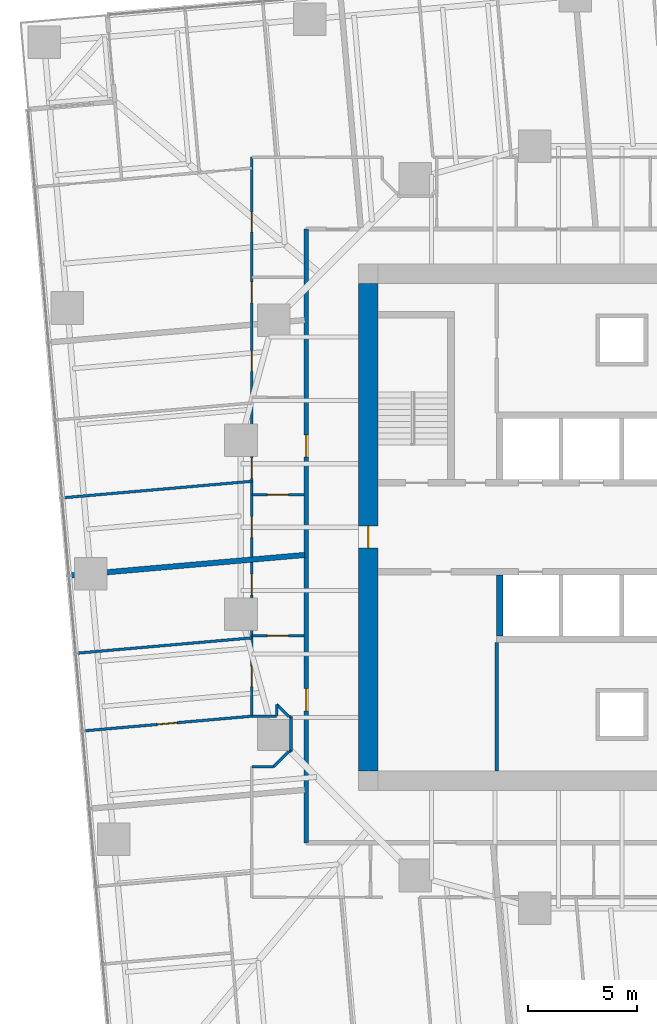
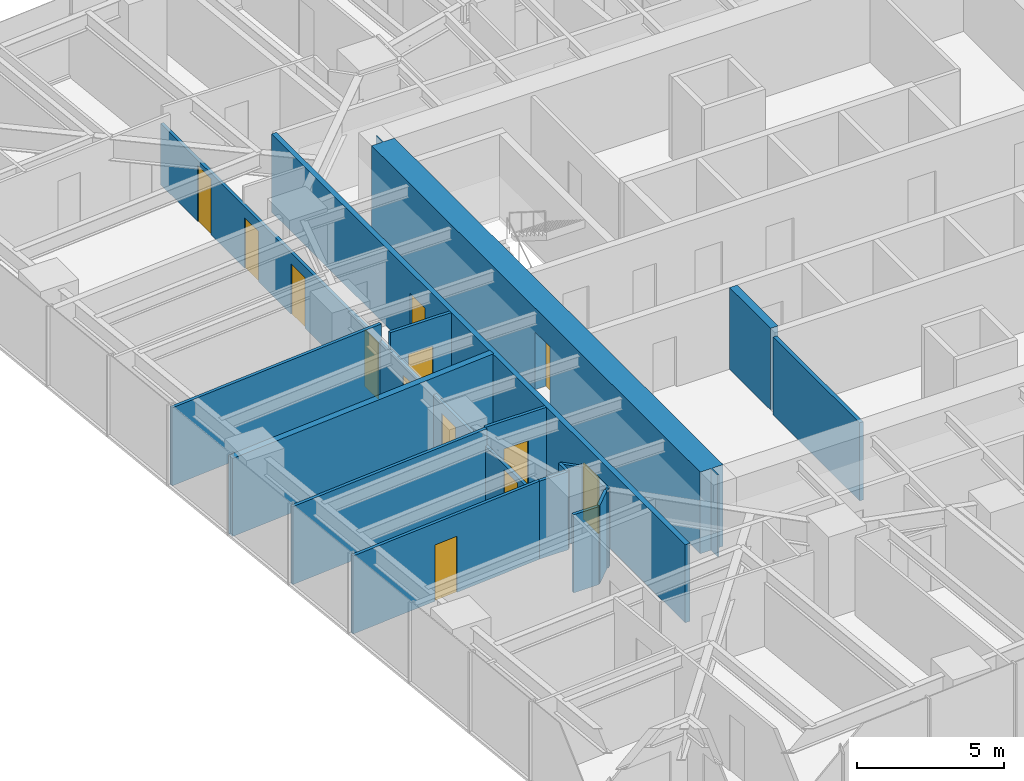
# One storey, part 9 of 14: 19 walls, 13 doors, 13 openings.
"""IFC4 building model written with IfcOpenShell, lengths in metres."""

from ifc_helpers import new_model, si_unit, direction, frame, frame_2d, origin, place, context, subcontext, project, spatial, polyline, rectangle, outline, extrude, material, layer, layer_set, type_object, element, fill, save


model = new_model("IFC4")

# Units and contexts
model_context = context("Model", 3, precision=1e-05, world=origin(), true_north=direction((0.0, 1.0)))
body_context = subcontext(model_context, "Body", "Model", "MODEL_VIEW")
ifc_project = project(units=[si_unit("LENGTHUNIT", "METRE"), si_unit("AREAUNIT", "SQUARE_METRE"), si_unit("VOLUMEUNIT", "CUBIC_METRE"), si_unit("PLANEANGLEUNIT", "RADIAN"), si_unit("MASSUNIT", "GRAM", prefix="KILO")], contexts=[model_context])

# Site, building, storey
site_placement = place(None, origin())
site = spatial("IfcSite", under=ifc_project, at=site_placement, CompositionType="ELEMENT")
building_placement = place(site_placement, origin())
building = spatial("IfcBuilding", under=site, at=building_placement, Name="Torsade Residences", CompositionType="ELEMENT")
storey_placement = place(building_placement, frame((0.0, 0.0, 50.60009765625)))
storey = spatial("IfcBuildingStorey", under=building, at=storey_placement, Name="L13", CompositionType="ELEMENT", Elevation=50.60009765625)

# Wall
ifc_material_1 = material(Name="Concrete 80 MPa", Category="concrete")
ifc_layer_1 = layer(ifc_material_1, 0.300048828125)
ifc_layer_set_1 = layer_set([ifc_layer_1], Name="Concrete 80 MPa")
wall_type_1 = type_object("IfcWallType", Name="CORE INTERNAL WALL 300", PredefinedType="SHEAR", material=ifc_layer_set_1)
wall_1_placement = place(storey_placement, frame((34.39990234375, 27.800048828125, 0.0), z_axis=(0.0, 0.0, 1.0), x_axis=(0.0, -1.0, 0.0)))
element("IfcWall", 1, at=wall_1_placement, inside=storey, type_object=wall_type_1, Name="Core wall DS4 L13", PredefinedType="SHEAR", context=body_context, shape_type="SweptSolid", body=[
    extrude(rectangle(XDim=2.800048828125, YDim=0.300048828125, at=frame_2d((1.39990234375, 0.0))), origin(), (0.0, 0.0, 1.0), 3.39990234375),
])

# Wall, opening, door
ifc_material_2 = material(Name="Concrete 80 MPa", Category="concrete")
ifc_layer_2 = layer(ifc_material_2, 0.89990234375)
ifc_layer_set_2 = layer_set([ifc_layer_2], Name="Concrete 80 MPa")
wall_type_2 = type_object("IfcWallType", Name="CORE WALL 900", PredefinedType="SHEAR", material=ifc_layer_set_2)
wall_2_placement = place(storey_placement, frame((28.35009765625, 41.199951171875, 0.0), z_axis=(0.0, 0.0, 1.0), x_axis=(0.0, -1.0, 0.0)))
wall_2 = element("IfcWall", 2, at=wall_2_placement, inside=storey, type_object=wall_type_2, Name="Core wall W L13", PredefinedType="SHEAR", context=body_context, shape_type="SweptSolid", body=[
    extrude(outline(polyline([(0.0, -0.449951171875), (22.39990234375, -0.449951171875), (22.39990234375, -0.02490234375), (22.849853515625, -0.02490234375), (22.849853515625, 0.02490234375), (22.39990234375, 0.02490234375), (22.39990234375, 0.449951171875), (0.0, 0.449951171875), (0.0, 0.02490234375), (-0.449951171875, 0.02490234375), (-0.449951171875, -0.02490234375), (0.0, -0.02490234375), (0.0, -0.449951171875)])), origin(), (0.0, 0.0, 1.0), 3.39990234375),
])
opening_1_placement = place(wall_2_placement, frame((11.139892578125, 0.0, 0.0)))
opening_1 = element("IfcOpeningElement", 3, at=opening_1_placement, cuts=wall_2, Name="Opening D04", PredefinedType="OPENING", context=body_context, shape_type="SweptSolid", body=[
    extrude(rectangle(XDim=1.02001953125, YDim=2.39990234375, at=frame_2d((0.510009765625, 1.199951171875))), frame((0.0, 0.4599609375, 0.0), z_axis=(0.0, -1.0, 0.0), x_axis=(1.0, 0.0, 0.0)), (0.0, 0.0, 1.0), 0.919921875),
])
ifc_material_3 = material(Name="Steel-framed fire door", Category="steel")
door_type_1 = type_object("IfcDoorType", Name="LOBBY SMOKE DOOR 1020x2400", OperationType="NOTDEFINED", PredefinedType="DOOR", material=ifc_material_3)
door_1_placement = place(opening_1_placement, origin())
door_1 = element("IfcDoor", 4, at=door_1_placement, inside=storey, type_object=door_type_1, Name="Lift lobby door W L13", OperationType="SINGLE_SWING_RIGHT", OverallHeight=2.39990234375, OverallWidth=1.02001953125, PredefinedType="DOOR", context=body_context, shape_type="SweptSolid", body=[
    extrude(rectangle(XDim=1.02001953125, YDim=2.39990234375, at=frame_2d((0.510009765625, 1.199951171875))), frame((0.0, 0.02490234375, 0.0), z_axis=(0.0, -1.0, 0.0), x_axis=(1.0, 0.0, 0.0)), (0.0, 0.0, 1.0), 0.050048828125),
])
fill(opening_1, door_1)

# Wall, openings, doors
ifc_material_4 = material(Name="Plasterboard on steel stud", Category="steel")
ifc_layer_3 = layer(ifc_material_4, 0.199951171875)
ifc_layer_set_3 = layer_set([ifc_layer_3], Name="Plasterboard on steel stud")
wall_type_3 = type_object("IfcWallType", Name="CORRIDOR WALL 200", PredefinedType="PARTITIONING", material=ifc_layer_set_3)
wall_3_placement = place(storey_placement, frame((25.5, 43.699951171875, 0.0), z_axis=(0.0, 0.0, 1.0), x_axis=(0.0, -1.0, 0.0)))
wall_3 = element("IfcWall", 5, at=wall_3_placement, inside=storey, type_object=wall_type_3, Name="Corridor wall L13", PredefinedType="PARTITIONING", context=body_context, shape_type="SweptSolid", body=[
    extrude(rectangle(XDim=28.199951171875, YDim=0.199951171875, at=frame_2d((14.10009765625, 0.0))), origin(), (0.0, 0.0, 1.0), 3.25),
])
opening_2_placement = place(wall_3_placement, frame((21.113037109375, 0.0, 0.0)))
opening_2 = element("IfcOpeningElement", 6, at=opening_2_placement, cuts=wall_3, Name="Opening D01", PredefinedType="OPENING", context=body_context, shape_type="SweptSolid", body=[
    extrude(rectangle(XDim=1.02001953125, YDim=2.340087890625, at=frame_2d((0.510009765625, 1.169921875))), frame((0.0, 0.10986328125, 0.0), z_axis=(0.0, -1.0, 0.0), x_axis=(1.0, 0.0, 0.0)), (0.0, 0.0, 1.0), 0.219970703125),
])
opening_3_placement = place(wall_3_placement, frame((9.45703125, 0.0, 0.0)))
opening_3 = element("IfcOpeningElement", 7, at=opening_3_placement, cuts=wall_3, Name="Opening D01", PredefinedType="OPENING", context=body_context, shape_type="SweptSolid", body=[
    extrude(rectangle(XDim=1.02001953125, YDim=2.340087890625, at=frame_2d((0.510009765625, 1.169921875))), frame((0.0, 0.10986328125, 0.0), z_axis=(0.0, -1.0, 0.0), x_axis=(1.0, 0.0, 0.0)), (0.0, 0.0, 1.0), 0.219970703125),
])
ifc_material_5 = material(Name="Solid-core timber fire door", Category="wood")
door_type_2 = type_object("IfcDoorType", Name="APARTMENT ENTRY DOOR 1020x2340", OperationType="NOTDEFINED", PredefinedType="DOOR", material=ifc_material_5)
door_2_placement = place(opening_2_placement, origin())
door_2 = element("IfcDoor", 8, at=door_2_placement, inside=storey, type_object=door_type_2, Name="Door Residential corridor to Kitchen and dining", OperationType="SINGLE_SWING_LEFT", OverallHeight=2.340087890625, OverallWidth=1.02001953125, PredefinedType="DOOR", context=body_context, shape_type="SweptSolid", body=[
    extrude(rectangle(XDim=1.02001953125, YDim=2.340087890625, at=frame_2d((0.510009765625, 1.169921875))), frame((0.0, 0.02490234375, 0.0), z_axis=(0.0, -1.0, 0.0), x_axis=(1.0, 0.0, 0.0)), (0.0, 0.0, 1.0), 0.050048828125),
])
fill(opening_2, door_2)
door_3_placement = place(opening_3_placement, origin())
door_3 = element("IfcDoor", 9, at=door_3_placement, inside=storey, type_object=door_type_2, Name="Door Residential corridor to Kitchen and dining", OperationType="SINGLE_SWING_RIGHT", OverallHeight=2.340087890625, OverallWidth=1.02001953125, PredefinedType="DOOR", context=body_context, shape_type="SweptSolid", body=[
    extrude(rectangle(XDim=1.02001953125, YDim=2.340087890625, at=frame_2d((0.510009765625, 1.169921875))), frame((0.0, 0.02490234375, 0.0), z_axis=(0.0, -1.0, 0.0), x_axis=(1.0, 0.0, 0.0)), (0.0, 0.0, 1.0), 0.050048828125),
])
fill(opening_3, door_3)

# Wall, opening, door
ifc_material_6 = material(Name="Plasterboard on steel stud", Category="steel")
ifc_layer_4 = layer(ifc_material_6, 0.1201171875)
ifc_layer_set_4 = layer_set([ifc_layer_4], Name="Plasterboard on steel stud")
wall_type_4 = type_object("IfcWallType", Name="PARTITION 120", PredefinedType="PARTITIONING", material=ifc_layer_set_4)
wall_4_placement = place(storey_placement, frame((23.0, 25.005859375, 0.0), z_axis=(0.0, 0.0, 1.0), x_axis=(1.0, 0.0, 0.0)))
wall_4 = element("IfcWall", 10, at=wall_4_placement, inside=storey, type_object=wall_type_4, Name="Partition L13", PredefinedType="PARTITIONING", context=body_context, shape_type="SweptSolid", body=[
    extrude(rectangle(XDim=2.39990234375, YDim=0.1201171875, at=frame_2d((1.199951171875, 0.0))), origin(), (0.0, 0.0, 1.0), 3.25),
])
opening_4_placement = place(wall_4_placement, frame((0.719970703125, 0.0, 0.0)))
opening_4 = element("IfcOpeningElement", 11, at=opening_4_placement, cuts=wall_4, Name="Opening D05", PredefinedType="OPENING", context=body_context, shape_type="SweptSolid", body=[
    extrude(rectangle(XDim=0.9599609375, YDim=2.10009765625, at=frame_2d((0.47998046875, 1.050048828125))), frame((0.0, 0.070068359375, 0.0), z_axis=(0.0, -1.0, 0.0), x_axis=(1.0, 0.0, 0.0)), (0.0, 0.0, 1.0), 0.14013671875),
])
ifc_material_7 = material(Name="Hollow-core timber door in a steel cavity frame", Category="steel")
door_type_3 = type_object("IfcDoorType", Name="BATHROOM CAVITY SLIDING DOOR 960", OperationType="SLIDING_TO_LEFT", PredefinedType="DOOR", material=ifc_material_7)
door_4_placement = place(opening_4_placement, origin())
door_4 = element("IfcDoor", 12, at=door_4_placement, inside=storey, type_object=door_type_3, Name="Door Kitchen and dining to Bathroom", OperationType="SLIDING_TO_LEFT", OverallHeight=2.10009765625, OverallWidth=0.9599609375, PredefinedType="DOOR", context=body_context, shape_type="SweptSolid", body=[
    extrude(rectangle(XDim=0.9599609375, YDim=2.10009765625, at=frame_2d((0.47998046875, 1.050048828125))), frame((0.0, 0.02490234375, 0.0), z_axis=(0.0, -1.0, 0.0), x_axis=(1.0, 0.0, 0.0)), (0.0, 0.0, 1.0), 0.050048828125),
])
fill(opening_4, door_4)

# Wall, openings, doors
wall_5_placement = place(storey_placement, frame((23.0, 21.318603515625, 0.0), z_axis=(0.0, 0.0, 1.0), x_axis=(0.0, 1.0, 0.0)))
wall_5 = element("IfcWall", 13, at=wall_5_placement, inside=storey, type_object=wall_type_4, Name="Partition L13", PredefinedType="PARTITIONING", context=body_context, shape_type="SweptSolid", body=[
    extrude(rectangle(XDim=25.681396484375, YDim=0.1201171875, at=frame_2d((12.8408203125, 0.0))), origin(), (0.0, 0.0, 1.0), 2.5498046875),
])
opening_5_placement = place(wall_5_placement, frame((1.36376953125, 0.0, 0.0)))
opening_5 = element("IfcOpeningElement", 14, at=opening_5_placement, cuts=wall_5, Name="Opening D02", PredefinedType="OPENING", context=body_context, shape_type="SweptSolid", body=[
    extrude(rectangle(XDim=0.919921875, YDim=2.340087890625, at=frame_2d((0.4599609375, 1.169921875))), frame((0.0, 0.070068359375, 0.0), z_axis=(0.0, -1.0, 0.0), x_axis=(1.0, 0.0, 0.0)), (0.0, 0.0, 1.0), 0.14013671875),
])
opening_6_placement = place(wall_5_placement, frame((10.9296875, 0.0, 0.0)))
opening_6 = element("IfcOpeningElement", 15, at=opening_6_placement, cuts=wall_5, Name="Opening D02", PredefinedType="OPENING", context=body_context, shape_type="SweptSolid", body=[
    extrude(rectangle(XDim=0.919921875, YDim=2.340087890625, at=frame_2d((0.4599609375, 1.169921875))), frame((0.0, 0.070068359375, 0.0), z_axis=(0.0, -1.0, 0.0), x_axis=(1.0, 0.0, 0.0)), (0.0, 0.0, 1.0), 0.14013671875),
])
opening_7_placement = place(wall_5_placement, frame((22.23291015625, 0.0, 0.0)))
opening_7 = element("IfcOpeningElement", 16, at=opening_7_placement, cuts=wall_5, Name="Opening D02", PredefinedType="OPENING", context=body_context, shape_type="SweptSolid", body=[
    extrude(rectangle(XDim=0.919921875, YDim=2.340087890625, at=frame_2d((0.4599609375, 1.169921875))), frame((0.0, 0.070068359375, 0.0), z_axis=(0.0, -1.0, 0.0), x_axis=(1.0, 0.0, 0.0)), (0.0, 0.0, 1.0), 0.14013671875),
])
opening_8_placement = place(wall_5_placement, frame((18.99072265625, 0.0, 0.0)))
opening_8 = element("IfcOpeningElement", 17, at=opening_8_placement, cuts=wall_5, Name="Opening D05", PredefinedType="OPENING", context=body_context, shape_type="SweptSolid", body=[
    extrude(rectangle(XDim=0.9599609375, YDim=2.10009765625, at=frame_2d((0.47998046875, 1.050048828125))), frame((0.0, 0.070068359375, 0.0), z_axis=(0.0, -1.0, 0.0), x_axis=(1.0, 0.0, 0.0)), (0.0, 0.0, 1.0), 0.14013671875),
])
opening_9_placement = place(wall_5_placement, frame((5.560791015625, 0.0, 0.0)))
opening_9 = element("IfcOpeningElement", 18, at=opening_9_placement, cuts=wall_5, Name="Opening D05", PredefinedType="OPENING", context=body_context, shape_type="SweptSolid", body=[
    extrude(rectangle(XDim=0.9599609375, YDim=2.10009765625, at=frame_2d((0.47998046875, 1.050048828125))), frame((0.0, 0.070068359375, 0.0), z_axis=(0.0, -1.0, 0.0), x_axis=(1.0, 0.0, 0.0)), (0.0, 0.0, 1.0), 0.14013671875),
])
opening_10_placement = place(wall_5_placement, frame((15.836181640625, 0.0, 0.0)))
opening_10 = element("IfcOpeningElement", 19, at=opening_10_placement, cuts=wall_5, Name="Opening D05", PredefinedType="OPENING", context=body_context, shape_type="SweptSolid", body=[
    extrude(rectangle(XDim=0.9599609375, YDim=2.10009765625, at=frame_2d((0.47998046875, 1.050048828125))), frame((0.0, 0.070068359375, 0.0), z_axis=(0.0, -1.0, 0.0), x_axis=(1.0, 0.0, 0.0)), (0.0, 0.0, 1.0), 0.14013671875),
])
opening_11_placement = place(wall_5_placement, frame((8.207763671875, 0.0, 0.0)))
opening_11 = element("IfcOpeningElement", 20, at=opening_11_placement, cuts=wall_5, Name="Opening D05", PredefinedType="OPENING", context=body_context, shape_type="SweptSolid", body=[
    extrude(rectangle(XDim=0.9599609375, YDim=2.10009765625, at=frame_2d((0.47998046875, 1.050048828125))), frame((0.0, 0.070068359375, 0.0), z_axis=(0.0, -1.0, 0.0), x_axis=(1.0, 0.0, 0.0)), (0.0, 0.0, 1.0), 0.14013671875),
])
door_5_placement = place(opening_8_placement, origin())
door_5 = element("IfcDoor", 21, at=door_5_placement, inside=storey, type_object=door_type_3, Name="Door Living room to Bathroom", OperationType="SLIDING_TO_LEFT", OverallHeight=2.10009765625, OverallWidth=0.9599609375, PredefinedType="DOOR", context=body_context, shape_type="SweptSolid", body=[
    extrude(rectangle(XDim=0.9599609375, YDim=2.10009765625, at=frame_2d((0.47998046875, 1.050048828125))), frame((0.0, 0.02490234375, 0.0), z_axis=(0.0, -1.0, 0.0), x_axis=(1.0, 0.0, 0.0)), (0.0, 0.0, 1.0), 0.050048828125),
])
fill(opening_8, door_5)
door_6_placement = place(opening_9_placement, origin())
door_6 = element("IfcDoor", 22, at=door_6_placement, inside=storey, type_object=door_type_3, Name="Door Bathroom to Living room", OperationType="SLIDING_TO_LEFT", OverallHeight=2.10009765625, OverallWidth=0.9599609375, PredefinedType="DOOR", context=body_context, shape_type="SweptSolid", body=[
    extrude(rectangle(XDim=0.9599609375, YDim=2.10009765625, at=frame_2d((0.47998046875, 1.050048828125))), frame((0.0, 0.02490234375, 0.0), z_axis=(0.0, -1.0, 0.0), x_axis=(1.0, 0.0, 0.0)), (0.0, 0.0, 1.0), 0.050048828125),
])
fill(opening_9, door_6)
door_7_placement = place(opening_10_placement, origin())
door_7 = element("IfcDoor", 23, at=door_7_placement, inside=storey, type_object=door_type_3, Name="Door Bathroom to Living room", OperationType="SLIDING_TO_LEFT", OverallHeight=2.10009765625, OverallWidth=0.9599609375, PredefinedType="DOOR", context=body_context, shape_type="SweptSolid", body=[
    extrude(rectangle(XDim=0.9599609375, YDim=2.10009765625, at=frame_2d((0.47998046875, 1.050048828125))), frame((0.0, 0.02490234375, 0.0), z_axis=(0.0, -1.0, 0.0), x_axis=(1.0, 0.0, 0.0)), (0.0, 0.0, 1.0), 0.050048828125),
])
fill(opening_10, door_7)
door_8_placement = place(opening_11_placement, origin())
door_8 = element("IfcDoor", 24, at=door_8_placement, inside=storey, type_object=door_type_3, Name="Door Ensuite to Bedroom 2", OperationType="SLIDING_TO_LEFT", OverallHeight=2.10009765625, OverallWidth=0.9599609375, PredefinedType="DOOR", context=body_context, shape_type="SweptSolid", body=[
    extrude(rectangle(XDim=0.9599609375, YDim=2.10009765625, at=frame_2d((0.47998046875, 1.050048828125))), frame((0.0, 0.02490234375, 0.0), z_axis=(0.0, -1.0, 0.0), x_axis=(1.0, 0.0, 0.0)), (0.0, 0.0, 1.0), 0.050048828125),
])
fill(opening_11, door_8)
ifc_material_8 = material(Name="Hollow-core timber door", Category="wood")
door_type_4 = type_object("IfcDoorType", Name="INTERNAL DOOR 920x2340", OperationType="NOTDEFINED", PredefinedType="DOOR", material=ifc_material_8)
door_9_placement = place(opening_5_placement, origin())
door_9 = element("IfcDoor", 25, at=door_9_placement, inside=storey, type_object=door_type_4, Name="Door Kitchen and dining to Bedroom 1", OperationType="SINGLE_SWING_RIGHT", OverallHeight=2.340087890625, OverallWidth=0.919921875, PredefinedType="DOOR", context=body_context, shape_type="SweptSolid", body=[
    extrude(rectangle(XDim=0.919921875, YDim=2.340087890625, at=frame_2d((0.4599609375, 1.169921875))), frame((0.0, 0.02490234375, 0.0), z_axis=(0.0, -1.0, 0.0), x_axis=(1.0, 0.0, 0.0)), (0.0, 0.0, 1.0), 0.050048828125),
])
fill(opening_5, door_9)
door_10_placement = place(opening_6_placement, origin())
door_10 = element("IfcDoor", 26, at=door_10_placement, inside=storey, type_object=door_type_4, Name="Door Kitchen and dining to Bedroom 1", OperationType="SINGLE_SWING_RIGHT", OverallHeight=2.340087890625, OverallWidth=0.919921875, PredefinedType="DOOR", context=body_context, shape_type="SweptSolid", body=[
    extrude(rectangle(XDim=0.919921875, YDim=2.340087890625, at=frame_2d((0.4599609375, 1.169921875))), frame((0.0, 0.02490234375, 0.0), z_axis=(0.0, -1.0, 0.0), x_axis=(1.0, 0.0, 0.0)), (0.0, 0.0, 1.0), 0.050048828125),
])
fill(opening_6, door_10)
door_11_placement = place(opening_7_placement, origin())
door_11 = element("IfcDoor", 27, at=door_11_placement, inside=storey, type_object=door_type_4, Name="Door Kitchen and dining to Living room", OperationType="SINGLE_SWING_RIGHT", OverallHeight=2.340087890625, OverallWidth=0.919921875, PredefinedType="DOOR", context=body_context, shape_type="SweptSolid", body=[
    extrude(rectangle(XDim=0.919921875, YDim=2.340087890625, at=frame_2d((0.4599609375, 1.169921875))), frame((0.0, 0.02490234375, 0.0), z_axis=(0.0, -1.0, 0.0), x_axis=(1.0, 0.0, 0.0)), (0.0, 0.0, 1.0), 0.050048828125),
])
fill(opening_7, door_11)

# Walls
wall_6_placement = place(storey_placement, frame((23.0, 19.0, 0.0), z_axis=(0.0, 0.0, 1.0), x_axis=(1.0, 0.0, 0.0)))
element("IfcWall", 28, at=wall_6_placement, inside=storey, type_object=wall_type_4, Name="Partition L13", PredefinedType="PARTITIONING", context=body_context, shape_type="SweptSolid", body=[
    extrude(rectangle(XDim=1.0, YDim=0.1201171875, at=frame_2d((0.5, 0.0))), origin(), (0.0, 0.0, 1.0), 3.25),
])
wall_7_placement = place(storey_placement, frame((24.0, 19.0, 0.0), z_axis=(0.0, 0.0, 1.0), x_axis=(0.707106781187, 0.707106781187, 0.0)))
element("IfcWall", 29, at=wall_7_placement, inside=storey, type_object=wall_type_4, Name="Partition L13", PredefinedType="PARTITIONING", context=body_context, shape_type="SweptSolid", body=[
    extrude(rectangle(XDim=0.989990234375, YDim=0.1201171875, at=frame_2d((0.4951171875, 0.0))), origin(), (0.0, 0.0, 1.0), 3.25),
])
wall_8_placement = place(storey_placement, frame((24.800048828125, 19.699951171875, 0.0), z_axis=(0.0, 0.0, 1.0), x_axis=(0.0, 1.0, 0.0)))
element("IfcWall", 30, at=wall_8_placement, inside=storey, type_object=wall_type_4, Name="Partition L13", PredefinedType="PARTITIONING", context=body_context, shape_type="SweptSolid", body=[
    extrude(rectangle(XDim=1.60009765625, YDim=0.1201171875, at=frame_2d((0.800048828125, 0.0))), origin(), (0.0, 0.0, 1.0), 3.25),
])
wall_9_placement = place(storey_placement, frame((24.699951171875, 21.300048828125, 0.0), z_axis=(0.0, 0.0, 1.0), x_axis=(-0.707106781187, 0.707106781187, 0.0)))
element("IfcWall", 31, at=wall_9_placement, inside=storey, type_object=wall_type_4, Name="Partition L13", PredefinedType="PARTITIONING", context=body_context, shape_type="SweptSolid", body=[
    extrude(rectangle(XDim=0.7919921875, YDim=0.1201171875, at=frame_2d((0.39599609375, 0.0))), origin(), (0.0, 0.0, 1.0), 3.25),
])
wall_10_placement = place(storey_placement, frame((24.139892578125, 21.860107421875, 0.0), z_axis=(0.0, 0.0, 1.0), x_axis=(0.0, -1.0, 0.0)))
element("IfcWall", 32, at=wall_10_placement, inside=storey, type_object=wall_type_4, Name="Partition L13", PredefinedType="PARTITIONING", context=body_context, shape_type="SweptSolid", body=[
    extrude(rectangle(XDim=0.54150390625, YDim=0.1201171875, at=frame_2d((0.270751953125, 0.0))), origin(), (0.0, 0.0, 1.0), 3.25),
])
wall_11_placement = place(storey_placement, frame((24.139892578125, 21.318603515625, 0.0), z_axis=(0.0, 0.0, 1.0), x_axis=(-1.0, 0.0, 0.0)))
element("IfcWall", 33, at=wall_11_placement, inside=storey, type_object=wall_type_4, Name="Partition L13", PredefinedType="PARTITIONING", context=body_context, shape_type="SweptSolid", body=[
    extrude(rectangle(XDim=1.139892578125, YDim=0.1201171875, at=frame_2d((0.56982421875, 0.0))), origin(), (0.0, 0.0, 1.0), 3.25),
])
wall_12_placement = place(storey_placement, frame((23.0, 24.915771484375, 0.0), z_axis=(0.0, 0.0, 1.0), x_axis=(-0.99619214338, -0.087184938313, 0.0)))
element("IfcWall", 34, at=wall_12_placement, inside=storey, type_object=wall_type_4, Name="Partition L13", PredefinedType="PARTITIONING", context=body_context, shape_type="SweptSolid", body=[
    extrude(rectangle(XDim=8.08154296875, YDim=0.1201171875, at=frame_2d((4.040771484375, 0.0))), origin(), (0.0, 0.0, 1.0), 3.25),
])

# Wall, opening, door
wall_13_placement = place(storey_placement, frame((23.0, 21.318603515625, 0.0), z_axis=(0.0, 0.0, 1.0), x_axis=(-0.996195047824, -0.0871517452, 0.0)))
wall_13 = element("IfcWall", 35, at=wall_13_placement, inside=storey, type_object=wall_type_4, Name="Partition L13", PredefinedType="PARTITIONING", context=body_context, shape_type="SweptSolid", body=[
    extrude(rectangle(XDim=7.76806640625, YDim=0.1201171875, at=frame_2d((3.884033203125, 0.0))), origin(), (0.0, 0.0, 1.0), 3.25),
])
opening_12_placement = place(wall_13_placement, frame((3.444091796875, 0.0, 0.0)))
opening_12 = element("IfcOpeningElement", 36, at=opening_12_placement, cuts=wall_13, Name="Opening D02", PredefinedType="OPENING", context=body_context, shape_type="SweptSolid", body=[
    extrude(rectangle(XDim=0.919921875, YDim=2.340087890625, at=frame_2d((0.4599609375, 1.169921875))), frame((0.0, 0.070068359375, 0.0), z_axis=(0.0, -1.0, 0.0), x_axis=(1.0, 0.0, 0.0)), (0.0, 0.0, 1.0), 0.14013671875),
])
door_12_placement = place(opening_12_placement, origin())
door_12 = element("IfcDoor", 37, at=door_12_placement, inside=storey, type_object=door_type_4, Name="Door Bedroom 1 to Bedroom 2", OperationType="SINGLE_SWING_LEFT", OverallHeight=2.340087890625, OverallWidth=0.919921875, PredefinedType="DOOR", context=body_context, shape_type="SweptSolid", body=[
    extrude(rectangle(XDim=0.919921875, YDim=2.340087890625, at=frame_2d((0.4599609375, 1.169921875))), frame((0.0, 0.02490234375, 0.0), z_axis=(0.0, -1.0, 0.0), x_axis=(1.0, 0.0, 0.0)), (0.0, 0.0, 1.0), 0.050048828125),
])
fill(opening_12, door_12)

wall_14_placement = place(storey_placement, frame((25.39990234375, 31.499755859375, 0.0), z_axis=(0.0, 0.0, 1.0), x_axis=(-1.0, 0.0, 0.0)))
wall_14 = element("IfcWall", 38, at=wall_14_placement, inside=storey, type_object=wall_type_4, Name="Partition L13", PredefinedType="PARTITIONING", context=body_context, shape_type="SweptSolid", body=[
    extrude(rectangle(XDim=2.39990234375, YDim=0.1201171875, at=frame_2d((1.199951171875, 0.0))), origin(), (0.0, 0.0, 1.0), 3.25),
])
opening_13_placement = place(wall_14_placement, frame((0.719970703125, 0.0, 0.0)))
opening_13 = element("IfcOpeningElement", 39, at=opening_13_placement, cuts=wall_14, Name="Opening D05", PredefinedType="OPENING", context=body_context, shape_type="SweptSolid", body=[
    extrude(rectangle(XDim=0.9599609375, YDim=2.10009765625, at=frame_2d((0.47998046875, 1.050048828125))), frame((0.0, 0.070068359375, 0.0), z_axis=(0.0, -1.0, 0.0), x_axis=(1.0, 0.0, 0.0)), (0.0, 0.0, 1.0), 0.14013671875),
])
door_13_placement = place(opening_13_placement, origin())
door_13 = element("IfcDoor", 40, at=door_13_placement, inside=storey, type_object=door_type_3, Name="Door Kitchen and dining to Ensuite", OperationType="SLIDING_TO_LEFT", OverallHeight=2.10009765625, OverallWidth=0.9599609375, PredefinedType="DOOR", context=body_context, shape_type="SweptSolid", body=[
    extrude(rectangle(XDim=0.9599609375, YDim=2.10009765625, at=frame_2d((0.47998046875, 1.050048828125))), frame((0.0, 0.02490234375, 0.0), z_axis=(0.0, -1.0, 0.0), x_axis=(1.0, 0.0, 0.0)), (0.0, 0.0, 1.0), 0.050048828125),
])
fill(opening_13, door_13)

# Walls
wall_15_placement = place(storey_placement, frame((23.0, 32.109619140625, 0.0), z_axis=(0.0, 0.0, 1.0), x_axis=(-0.996194478193, -0.087158256162, 0.0)))
element("IfcWall", 41, at=wall_15_placement, inside=storey, type_object=wall_type_4, Name="Partition L13", PredefinedType="PARTITIONING", context=body_context, shape_type="SweptSolid", body=[
    extrude(rectangle(XDim=8.708740234375, YDim=0.1201171875, at=frame_2d((4.3544921875, 0.0))), origin(), (0.0, 0.0, 1.0), 3.25),
])
for number, where, z_axis, x_axis, name in (
    (42, (24.800048828125, 19.699951171875, 0.0), (0.0, 0.0, 1.0), (-1.0, 0.0, 0.0), "Partition L13"),
    (43, (24.800048828125, 21.300048828125, 0.0), (0.0, 0.0, 1.0), (-1.0, 0.0, 0.0), "Partition L13"),
):
    element("IfcWall", number, at=place(storey_placement, frame(where, z_axis=z_axis, x_axis=x_axis)), inside=storey, type_object=wall_type_4, Name=name, PredefinedType="PARTITIONING", context=body_context, shape_type="SweptSolid", body=[
        extrude(rectangle(XDim=0.10009765625, YDim=0.1201171875, at=frame_2d((0.050048828125, 0.0))), origin(), (0.0, 0.0, 1.0), 3.25),
    ])
ifc_material_9 = material(Name="Masonry-lined stud party wall", Category="masonry")
ifc_layer_5 = layer(ifc_material_9, 0.25)
ifc_layer_set_5 = layer_set([ifc_layer_5], Name="Masonry-lined stud party wall")
wall_type_5 = type_object("IfcWallType", Name="PARTY WALL 250", PredefinedType="PARTITIONING", material=ifc_layer_set_5)
wall_16_placement = place(storey_placement, frame((14.596923828125, 27.777587890625, 0.0), z_axis=(0.0, 0.0, 1.0), x_axis=(0.996196056792, 0.087140211333, 0.0)))
element("IfcWall", 44, at=wall_16_placement, inside=storey, type_object=wall_type_5, Name="Party wall L13", PredefinedType="PARTITIONING", context=body_context, shape_type="SweptSolid", body=[
    extrude(rectangle(XDim=10.873291015625, YDim=0.25, at=frame_2d((5.4365234375, 0.0))), origin(), (0.0, 0.0, 1.0), 3.25),
])
ifc_material_10 = material(Name="Reinforced blockwork", Category="masonry")
ifc_layer_6 = layer(ifc_material_10, 0.14990234375)
ifc_layer_set_6 = layer_set([ifc_layer_6], Name="Reinforced blockwork")
wall_type_6 = type_object("IfcWallType", Name="SERVICE ROOM WALL 150", PredefinedType="SOLIDWALL", material=ifc_layer_set_6)
wall_17_placement = place(storey_placement, frame((34.25, 18.800048828125, 0.0), z_axis=(0.0, 0.0, 1.0), x_axis=(0.0, 1.0, 0.0)))
element("IfcWall", 45, at=wall_17_placement, inside=storey, type_object=wall_type_6, Name="Service room wall L13", PredefinedType="SOLIDWALL", context=body_context, shape_type="SweptSolid", body=[
    extrude(rectangle(XDim=5.89990234375, YDim=0.14990234375, at=frame_2d((2.949951171875, 0.0))), origin(), (0.0, 0.0, 1.0), 3.25),
])

save(model, "model.ifc")
